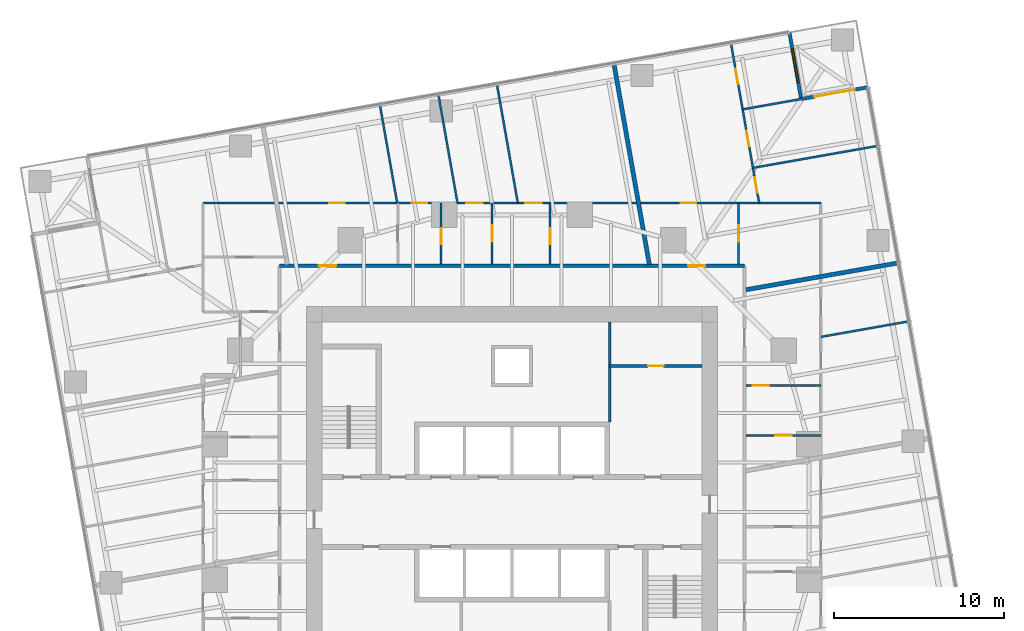
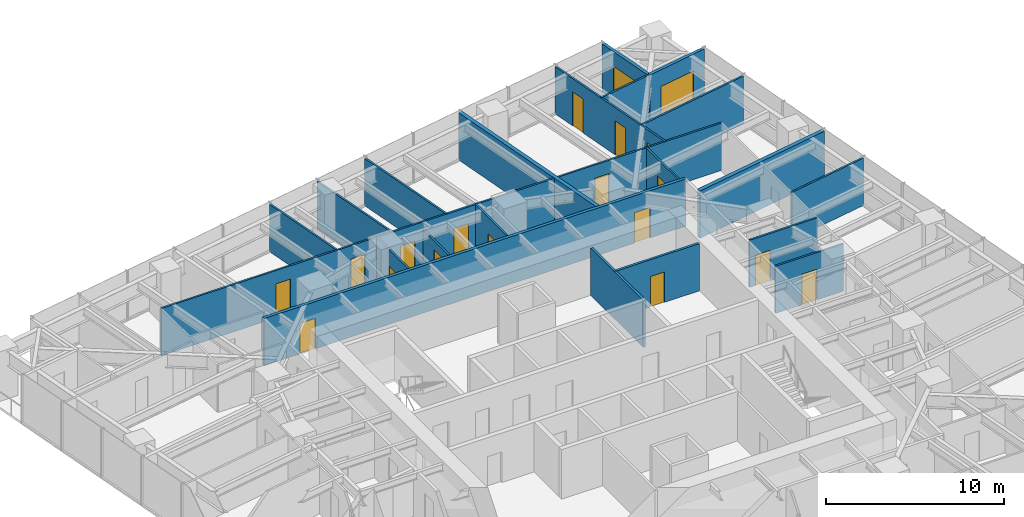
# One storey, part 12 of 14: 21 walls, 18 doors, 1 window, 19 openings.
"""IFC4 building model written with IfcOpenShell, lengths in metres."""

from ifc_helpers import new_model, si_unit, direction, frame, frame_2d, origin, place, context, subcontext, project, spatial, rectangle, extrude, material, layer, layer_set, type_object, element, fill, save


model = new_model("IFC4")

# Units and contexts
model_context = context("Model", 3, precision=1e-05, world=origin(), true_north=direction((0.0, 1.0)))
body_context = subcontext(model_context, "Body", "Model", "MODEL_VIEW")
ifc_project = project(units=[si_unit("LENGTHUNIT", "METRE"), si_unit("AREAUNIT", "SQUARE_METRE"), si_unit("VOLUMEUNIT", "CUBIC_METRE"), si_unit("PLANEANGLEUNIT", "RADIAN"), si_unit("MASSUNIT", "GRAM", prefix="KILO")], contexts=[model_context])

# Site, building, storey
site_placement = place(None, origin())
site = spatial("IfcSite", under=ifc_project, at=site_placement, CompositionType="ELEMENT")
building_placement = place(site_placement, origin())
building = spatial("IfcBuilding", under=site, at=building_placement, Name="Torsade Residences", CompositionType="ELEMENT")
storey_placement = place(building_placement, frame((0.0, 0.0, 99.800048828125)))
storey = spatial("IfcBuildingStorey", under=building, at=storey_placement, Name="L27", CompositionType="ELEMENT", Elevation=99.800048828125)

# Wall, openings, doors
ifc_material_1 = material(Name="Plasterboard on steel stud", Category="steel")
ifc_layer_1 = layer(ifc_material_1, 0.199951171875)
ifc_layer_set_1 = layer_set([ifc_layer_1], Name="Plasterboard on steel stud")
wall_type_1 = type_object("IfcWallType", Name="CORRIDOR WALL 200", PredefinedType="PARTITIONING", material=ifc_layer_set_1)
wall_1_placement = place(storey_placement, frame((53.699951171875, 44.5, 0.0), z_axis=(0.0, 0.0, 1.0), x_axis=(-1.0, 0.0, 0.0)))
wall_1 = element("IfcWall", 1, at=wall_1_placement, inside=storey, type_object=wall_type_1, Name="Corridor wall L27", PredefinedType="PARTITIONING", context=body_context, shape_type="SweptSolid", body=[
    extrude(rectangle(XDim=27.39990234375, YDim=0.199951171875, at=frame_2d((13.699951171875, 0.0))), origin(), (0.0, 0.0, 1.0), 3.25),
])
opening_1_placement = place(wall_1_placement, frame((24.0556640625, 0.0, 0.0)))
opening_1 = element("IfcOpeningElement", 2, at=opening_1_placement, cuts=wall_1, Name="Opening D01L", PredefinedType="OPENING", context=body_context, shape_type="SweptSolid", body=[
    extrude(rectangle(XDim=1.02001953125, YDim=2.10009765625, at=frame_2d((0.510009765625, 1.050048828125))), frame((0.0, 0.10986328125, 0.0), z_axis=(0.0, -1.0, 0.0), x_axis=(1.0, 0.0, 0.0)), (0.0, 0.0, 1.0), 0.219970703125),
])
opening_2_placement = place(wall_1_placement, frame((2.305419921875, 0.0, 0.0)))
opening_2 = element("IfcOpeningElement", 3, at=opening_2_placement, cuts=wall_1, Name="Opening D01L", PredefinedType="OPENING", context=body_context, shape_type="SweptSolid", body=[
    extrude(rectangle(XDim=1.02001953125, YDim=2.10009765625, at=frame_2d((0.510009765625, 1.050048828125))), frame((0.0, 0.10986328125, 0.0), z_axis=(0.0, -1.0, 0.0), x_axis=(1.0, 0.0, 0.0)), (0.0, 0.0, 1.0), 0.219970703125),
])
ifc_material_2 = material(Name="Solid-core timber fire door", Category="wood")
door_type_1 = type_object("IfcDoorType", Name="APARTMENT ENTRY DOOR 1020x2100", OperationType="NOTDEFINED", PredefinedType="DOOR", material=ifc_material_2)
door_1_placement = place(opening_1_placement, origin())
door_1 = element("IfcDoor", 4, at=door_1_placement, inside=storey, type_object=door_type_1, Name="Door Residential corridor to Kitchen and dining", OperationType="SINGLE_SWING_RIGHT", OverallHeight=2.10009765625, OverallWidth=1.02001953125, PredefinedType="DOOR", context=body_context, shape_type="SweptSolid", body=[
    extrude(rectangle(XDim=1.02001953125, YDim=2.10009765625, at=frame_2d((0.510009765625, 1.050048828125))), frame((0.0, 0.02490234375, 0.0), z_axis=(0.0, -1.0, 0.0), x_axis=(1.0, 0.0, 0.0)), (0.0, 0.0, 1.0), 0.050048828125),
])
fill(opening_1, door_1)
door_2_placement = place(opening_2_placement, origin())
door_2 = element("IfcDoor", 5, at=door_2_placement, inside=storey, type_object=door_type_1, Name="Door Residential corridor to Kitchen and dining", OperationType="SINGLE_SWING_LEFT", OverallHeight=2.10009765625, OverallWidth=1.02001953125, PredefinedType="DOOR", context=body_context, shape_type="SweptSolid", body=[
    extrude(rectangle(XDim=1.02001953125, YDim=2.10009765625, at=frame_2d((0.510009765625, 1.050048828125))), frame((0.0, 0.02490234375, 0.0), z_axis=(0.0, -1.0, 0.0), x_axis=(1.0, 0.0, 0.0)), (0.0, 0.0, 1.0), 0.050048828125),
])
fill(opening_2, door_2)

# Wall, opening, door
ifc_material_3 = material(Name="Plasterboard on steel stud", Category="steel")
ifc_layer_2 = layer(ifc_material_3, 0.1201171875)
ifc_layer_set_2 = layer_set([ifc_layer_2], Name="Plasterboard on steel stud")
wall_type_2 = type_object("IfcWallType", Name="PARTITION 120", PredefinedType="PARTITIONING", material=ifc_layer_set_2)
wall_2_placement = place(storey_placement, frame((58.199951171875, 37.452392578125, 0.0), z_axis=(0.0, 0.0, 1.0), x_axis=(-1.0, 0.0, 0.0)))
wall_2 = element("IfcWall", 6, at=wall_2_placement, inside=storey, type_object=wall_type_2, Name="Partition L27", PredefinedType="PARTITIONING", context=body_context, shape_type="SweptSolid", body=[
    extrude(rectangle(XDim=4.39990234375, YDim=0.1201171875, at=frame_2d((2.199951171875, 0.0))), origin(), (0.0, 0.0, 1.0), 3.25),
])
opening_3_placement = place(wall_2_placement, frame((3.070068359375, 0.0, 0.0)))
opening_3 = element("IfcOpeningElement", 7, at=opening_3_placement, cuts=wall_2, Name="Opening D05", PredefinedType="OPENING", context=body_context, shape_type="SweptSolid", body=[
    extrude(rectangle(XDim=0.9599609375, YDim=2.10009765625, at=frame_2d((0.47998046875, 1.050048828125))), frame((0.0, 0.070068359375, 0.0), z_axis=(0.0, -1.0, 0.0), x_axis=(1.0, 0.0, 0.0)), (0.0, 0.0, 1.0), 0.14013671875),
])
ifc_material_4 = material(Name="Hollow-core timber door in a steel cavity frame", Category="steel")
door_type_2 = type_object("IfcDoorType", Name="BATHROOM CAVITY SLIDING DOOR 960", OperationType="SLIDING_TO_LEFT", PredefinedType="DOOR", material=ifc_material_4)
door_3_placement = place(opening_3_placement, origin())
door_3 = element("IfcDoor", 8, at=door_3_placement, inside=storey, type_object=door_type_2, Name="Door Kitchen and dining to Bathroom", OperationType="SLIDING_TO_LEFT", OverallHeight=2.10009765625, OverallWidth=0.9599609375, PredefinedType="DOOR", context=body_context, shape_type="SweptSolid", body=[
    extrude(rectangle(XDim=0.9599609375, YDim=2.10009765625, at=frame_2d((0.47998046875, 1.050048828125))), frame((0.0, 0.02490234375, 0.0), z_axis=(0.0, -1.0, 0.0), x_axis=(1.0, 0.0, 0.0)), (0.0, 0.0, 1.0), 0.050048828125),
])
fill(opening_3, door_3)

wall_3_placement = place(storey_placement, frame((58.199951171875, 34.51171875, 0.0), z_axis=(0.0, 0.0, 1.0), x_axis=(-1.0, 0.0, 0.0)))
wall_3 = element("IfcWall", 9, at=wall_3_placement, inside=storey, type_object=wall_type_2, Name="Partition L27", PredefinedType="PARTITIONING", context=body_context, shape_type="SweptSolid", body=[
    extrude(rectangle(XDim=4.39990234375, YDim=0.1201171875, at=frame_2d((2.199951171875, 0.0))), origin(), (0.0, 0.0, 1.0), 3.25),
])
opening_4_placement = place(wall_3_placement, frame((1.719970703125, 0.0, 0.0)))
opening_4 = element("IfcOpeningElement", 10, at=opening_4_placement, cuts=wall_3, Name="Opening D05", PredefinedType="OPENING", context=body_context, shape_type="SweptSolid", body=[
    extrude(rectangle(XDim=0.9599609375, YDim=2.10009765625, at=frame_2d((0.47998046875, 1.050048828125))), frame((0.0, 0.070068359375, 0.0), z_axis=(0.0, -1.0, 0.0), x_axis=(1.0, 0.0, 0.0)), (0.0, 0.0, 1.0), 0.14013671875),
])
door_4_placement = place(opening_4_placement, origin())
door_4 = element("IfcDoor", 11, at=door_4_placement, inside=storey, type_object=door_type_2, Name="Door Bathroom to Ensuite", OperationType="SLIDING_TO_LEFT", OverallHeight=2.10009765625, OverallWidth=0.9599609375, PredefinedType="DOOR", context=body_context, shape_type="SweptSolid", body=[
    extrude(rectangle(XDim=0.9599609375, YDim=2.10009765625, at=frame_2d((0.47998046875, 1.050048828125))), frame((0.0, 0.02490234375, 0.0), z_axis=(0.0, -1.0, 0.0), x_axis=(1.0, 0.0, 0.0)), (0.0, 0.0, 1.0), 0.050048828125),
])
fill(opening_4, door_4)

# Wall
wall_4_placement = place(storey_placement, frame((58.199951171875, 40.317138671875, 0.0), z_axis=(0.0, 0.0, 1.0), x_axis=(0.984812130229, 0.173623351409, 0.0)))
element("IfcWall", 12, at=wall_4_placement, inside=storey, type_object=wall_type_2, Name="Partition L27", PredefinedType="PARTITIONING", context=body_context, shape_type="SweptSolid", body=[
    extrude(rectangle(XDim=5.244873046875, YDim=0.1201171875, at=frame_2d((2.62255859375, 0.0))), origin(), (0.0, 0.0, 1.0), 3.25),
])

# Wall, opening, door
wall_5_placement = place(storey_placement, frame((53.35498046875, 48.199951171875, 0.0), z_axis=(0.0, 0.0, 1.0), x_axis=(0.0, -1.0, 0.0)))
wall_5 = element("IfcWall", 13, at=wall_5_placement, inside=storey, type_object=wall_type_2, Name="Partition L27", PredefinedType="PARTITIONING", context=body_context, shape_type="SweptSolid", body=[
    extrude(rectangle(XDim=3.599853515625, YDim=0.1201171875, at=frame_2d((1.7998046875, 0.0))), origin(), (0.0, 0.0, 1.0), 3.25),
])
opening_5_placement = place(wall_5_placement, frame((1.320068359375, 0.0, 0.0)))
opening_5 = element("IfcOpeningElement", 14, at=opening_5_placement, cuts=wall_5, Name="Opening D05", PredefinedType="OPENING", context=body_context, shape_type="SweptSolid", body=[
    extrude(rectangle(XDim=0.9599609375, YDim=2.10009765625, at=frame_2d((0.47998046875, 1.050048828125))), frame((0.0, 0.070068359375, 0.0), z_axis=(0.0, -1.0, 0.0), x_axis=(1.0, 0.0, 0.0)), (0.0, 0.0, 1.0), 0.14013671875),
])
door_5_placement = place(opening_5_placement, origin())
door_5 = element("IfcDoor", 15, at=door_5_placement, inside=storey, type_object=door_type_2, Name="Door Kitchen and dining to Bathroom", OperationType="SLIDING_TO_LEFT", OverallHeight=2.10009765625, OverallWidth=0.9599609375, PredefinedType="DOOR", context=body_context, shape_type="SweptSolid", body=[
    extrude(rectangle(XDim=0.9599609375, YDim=2.10009765625, at=frame_2d((0.47998046875, 1.050048828125))), frame((0.0, 0.02490234375, 0.0), z_axis=(0.0, -1.0, 0.0), x_axis=(1.0, 0.0, 0.0)), (0.0, 0.0, 1.0), 0.050048828125),
])
fill(opening_5, door_5)

# Wall, openings, doors
wall_6_placement = place(storey_placement, frame((21.800048828125, 48.199951171875, 0.0), z_axis=(0.0, 0.0, 1.0), x_axis=(1.0, 0.0, 0.0)))
wall_6 = element("IfcWall", 16, at=wall_6_placement, inside=storey, type_object=wall_type_2, Name="Partition L27", PredefinedType="PARTITIONING", context=body_context, shape_type="SweptSolid", body=[
    extrude(rectangle(XDim=36.39990234375, YDim=0.1201171875, at=frame_2d((18.199951171875, 0.0))), origin(), (0.0, 0.0, 1.0), 3.25),
])
opening_6_placement = place(wall_6_placement, frame((7.441162109375, 0.0, 0.0)))
opening_6 = element("IfcOpeningElement", 17, at=opening_6_placement, cuts=wall_6, Name="Opening D02", PredefinedType="OPENING", context=body_context, shape_type="SweptSolid", body=[
    extrude(rectangle(XDim=0.919921875, YDim=2.340087890625, at=frame_2d((0.4599609375, 1.169921875))), frame((0.0, 0.070068359375, 0.0), z_axis=(0.0, -1.0, 0.0), x_axis=(1.0, 0.0, 0.0)), (0.0, 0.0, 1.0), 0.14013671875),
])
opening_7_placement = place(wall_6_placement, frame((28.14404296875, 0.0, 0.0)))
opening_7 = element("IfcOpeningElement", 18, at=opening_7_placement, cuts=wall_6, Name="Opening D02", PredefinedType="OPENING", context=body_context, shape_type="SweptSolid", body=[
    extrude(rectangle(XDim=0.919921875, YDim=2.340087890625, at=frame_2d((0.4599609375, 1.169921875))), frame((0.0, 0.070068359375, 0.0), z_axis=(0.0, -1.0, 0.0), x_axis=(1.0, 0.0, 0.0)), (0.0, 0.0, 1.0), 0.14013671875),
])
opening_8_placement = place(wall_6_placement, frame((12.290283203125, 0.0, 0.0)))
opening_8 = element("IfcOpeningElement", 19, at=opening_8_placement, cuts=wall_6, Name="Opening D02", PredefinedType="OPENING", context=body_context, shape_type="SweptSolid", body=[
    extrude(rectangle(XDim=0.919921875, YDim=2.340087890625, at=frame_2d((0.4599609375, 1.169921875))), frame((0.0, 0.070068359375, 0.0), z_axis=(0.0, -1.0, 0.0), x_axis=(1.0, 0.0, 0.0)), (0.0, 0.0, 1.0), 0.14013671875),
])
opening_9_placement = place(wall_6_placement, frame((15.50537109375, 0.0, 0.0)))
opening_9 = element("IfcOpeningElement", 20, at=opening_9_placement, cuts=wall_6, Name="Opening D05", PredefinedType="OPENING", context=body_context, shape_type="SweptSolid", body=[
    extrude(rectangle(XDim=0.9599609375, YDim=2.10009765625, at=frame_2d((0.47998046875, 1.050048828125))), frame((0.0, 0.070068359375, 0.0), z_axis=(0.0, -1.0, 0.0), x_axis=(1.0, 0.0, 0.0)), (0.0, 0.0, 1.0), 0.14013671875),
])
opening_10_placement = place(wall_6_placement, frame((18.990966796875, 0.0, 0.0)))
opening_10 = element("IfcOpeningElement", 21, at=opening_10_placement, cuts=wall_6, Name="Opening D05", PredefinedType="OPENING", context=body_context, shape_type="SweptSolid", body=[
    extrude(rectangle(XDim=0.9599609375, YDim=2.10009765625, at=frame_2d((0.47998046875, 1.050048828125))), frame((0.0, 0.070068359375, 0.0), z_axis=(0.0, -1.0, 0.0), x_axis=(1.0, 0.0, 0.0)), (0.0, 0.0, 1.0), 0.14013671875),
])
door_6_placement = place(opening_9_placement, origin())
door_6 = element("IfcDoor", 22, at=door_6_placement, inside=storey, type_object=door_type_2, Name="Door Laundry to Bedroom 2", OperationType="SLIDING_TO_LEFT", OverallHeight=2.10009765625, OverallWidth=0.9599609375, PredefinedType="DOOR", context=body_context, shape_type="SweptSolid", body=[
    extrude(rectangle(XDim=0.9599609375, YDim=2.10009765625, at=frame_2d((0.47998046875, 1.050048828125))), frame((0.0, 0.02490234375, 0.0), z_axis=(0.0, -1.0, 0.0), x_axis=(1.0, 0.0, 0.0)), (0.0, 0.0, 1.0), 0.050048828125),
])
fill(opening_9, door_6)
door_7_placement = place(opening_10_placement, origin())
door_7 = element("IfcDoor", 23, at=door_7_placement, inside=storey, type_object=door_type_2, Name="Door Ensuite to Living room", OperationType="SLIDING_TO_LEFT", OverallHeight=2.10009765625, OverallWidth=0.9599609375, PredefinedType="DOOR", context=body_context, shape_type="SweptSolid", body=[
    extrude(rectangle(XDim=0.9599609375, YDim=2.10009765625, at=frame_2d((0.47998046875, 1.050048828125))), frame((0.0, 0.02490234375, 0.0), z_axis=(0.0, -1.0, 0.0), x_axis=(1.0, 0.0, 0.0)), (0.0, 0.0, 1.0), 0.050048828125),
])
fill(opening_10, door_7)
ifc_material_5 = material(Name="Hollow-core timber door", Category="wood")
door_type_3 = type_object("IfcDoorType", Name="INTERNAL DOOR 920x2340", OperationType="NOTDEFINED", PredefinedType="DOOR", material=ifc_material_5)
door_8_placement = place(opening_6_placement, origin())
door_8 = element("IfcDoor", 24, at=door_8_placement, inside=storey, type_object=door_type_3, Name="Door Kitchen and dining to Bedroom 1", OperationType="SINGLE_SWING_LEFT", OverallHeight=2.340087890625, OverallWidth=0.919921875, PredefinedType="DOOR", context=body_context, shape_type="SweptSolid", body=[
    extrude(rectangle(XDim=0.919921875, YDim=2.340087890625, at=frame_2d((0.4599609375, 1.169921875))), frame((0.0, 0.02490234375, 0.0), z_axis=(0.0, -1.0, 0.0), x_axis=(1.0, 0.0, 0.0)), (0.0, 0.0, 1.0), 0.050048828125),
])
fill(opening_6, door_8)
door_9_placement = place(opening_7_placement, origin())
door_9 = element("IfcDoor", 25, at=door_9_placement, inside=storey, type_object=door_type_3, Name="Door Kitchen and dining to Living room", OperationType="SINGLE_SWING_LEFT", OverallHeight=2.340087890625, OverallWidth=0.919921875, PredefinedType="DOOR", context=body_context, shape_type="SweptSolid", body=[
    extrude(rectangle(XDim=0.919921875, YDim=2.340087890625, at=frame_2d((0.4599609375, 1.169921875))), frame((0.0, 0.02490234375, 0.0), z_axis=(0.0, -1.0, 0.0), x_axis=(1.0, 0.0, 0.0)), (0.0, 0.0, 1.0), 0.050048828125),
])
fill(opening_7, door_9)
door_10_placement = place(opening_8_placement, origin())
door_10 = element("IfcDoor", 26, at=door_10_placement, inside=storey, type_object=door_type_3, Name="Door Study to Study 2", OperationType="SINGLE_SWING_LEFT", OverallHeight=2.340087890625, OverallWidth=0.919921875, PredefinedType="DOOR", context=body_context, shape_type="SweptSolid", body=[
    extrude(rectangle(XDim=0.919921875, YDim=2.340087890625, at=frame_2d((0.4599609375, 1.169921875))), frame((0.0, 0.02490234375, 0.0), z_axis=(0.0, -1.0, 0.0), x_axis=(1.0, 0.0, 0.0)), (0.0, 0.0, 1.0), 0.050048828125),
])
fill(opening_8, door_10)

wall_7_placement = place(storey_placement, frame((52.89990234375, 57.61962890625, 0.0), z_axis=(0.0, 0.0, 1.0), x_axis=(0.173642635155, -0.984808730291, 0.0)))
wall_7 = element("IfcWall", 27, at=wall_7_placement, inside=storey, type_object=wall_type_2, Name="Partition L27", PredefinedType="PARTITIONING", context=body_context, shape_type="SweptSolid", body=[
    extrude(rectangle(XDim=9.56494140625, YDim=0.1201171875, at=frame_2d((4.782470703125, 0.0))), origin(), (0.0, 0.0, 1.0), 3.25),
])
opening_11_placement = place(wall_7_placement, frame((1.525146484375, 0.0, 0.0)))
opening_11 = element("IfcOpeningElement", 28, at=opening_11_placement, cuts=wall_7, Name="Opening D02", PredefinedType="OPENING", context=body_context, shape_type="SweptSolid", body=[
    extrude(rectangle(XDim=0.919921875, YDim=2.340087890625, at=frame_2d((0.4599609375, 1.169921875))), frame((0.0, 0.070068359375, 0.0), z_axis=(0.0, -1.0, 0.0), x_axis=(1.0, 0.0, 0.0)), (0.0, 0.0, 1.0), 0.14013671875),
])
opening_12_placement = place(wall_7_placement, frame((5.25, 0.0, 0.0)))
opening_12 = element("IfcOpeningElement", 29, at=opening_12_placement, cuts=wall_7, Name="Opening D02", PredefinedType="OPENING", context=body_context, shape_type="SweptSolid", body=[
    extrude(rectangle(XDim=0.919921875, YDim=2.340087890625, at=frame_2d((0.4599609375, 1.169921875))), frame((0.0, 0.070068359375, 0.0), z_axis=(0.0, -1.0, 0.0), x_axis=(1.0, 0.0, 0.0)), (0.0, 0.0, 1.0), 0.14013671875),
])
opening_13_placement = place(wall_7_placement, frame((8.027587890625, 0.0, 0.0)))
opening_13 = element("IfcOpeningElement", 30, at=opening_13_placement, cuts=wall_7, Name="Opening D02", PredefinedType="OPENING", context=body_context, shape_type="SweptSolid", body=[
    extrude(rectangle(XDim=0.919921875, YDim=2.340087890625, at=frame_2d((0.4599609375, 1.169921875))), frame((0.0, 0.070068359375, 0.0), z_axis=(0.0, -1.0, 0.0), x_axis=(1.0, 0.0, 0.0)), (0.0, 0.0, 1.0), 0.14013671875),
])
door_11_placement = place(opening_11_placement, origin())
door_11 = element("IfcDoor", 31, at=door_11_placement, inside=storey, type_object=door_type_3, Name="Door Living room to Study", OperationType="SINGLE_SWING_RIGHT", OverallHeight=2.340087890625, OverallWidth=0.919921875, PredefinedType="DOOR", context=body_context, shape_type="SweptSolid", body=[
    extrude(rectangle(XDim=0.919921875, YDim=2.340087890625, at=frame_2d((0.4599609375, 1.169921875))), frame((0.0, 0.02490234375, 0.0), z_axis=(0.0, -1.0, 0.0), x_axis=(1.0, 0.0, 0.0)), (0.0, 0.0, 1.0), 0.050048828125),
])
fill(opening_11, door_11)
door_12_placement = place(opening_12_placement, origin())
door_12 = element("IfcDoor", 32, at=door_12_placement, inside=storey, type_object=door_type_3, Name="Door Living room to Bedroom 2", OperationType="SINGLE_SWING_LEFT", OverallHeight=2.340087890625, OverallWidth=0.919921875, PredefinedType="DOOR", context=body_context, shape_type="SweptSolid", body=[
    extrude(rectangle(XDim=0.919921875, YDim=2.340087890625, at=frame_2d((0.4599609375, 1.169921875))), frame((0.0, 0.02490234375, 0.0), z_axis=(0.0, -1.0, 0.0), x_axis=(1.0, 0.0, 0.0)), (0.0, 0.0, 1.0), 0.050048828125),
])
fill(opening_12, door_12)
door_13_placement = place(opening_13_placement, origin())
door_13 = element("IfcDoor", 33, at=door_13_placement, inside=storey, type_object=door_type_3, Name="Door Living room to Bedroom 1", OperationType="SINGLE_SWING_LEFT", OverallHeight=2.340087890625, OverallWidth=0.919921875, PredefinedType="DOOR", context=body_context, shape_type="SweptSolid", body=[
    extrude(rectangle(XDim=0.919921875, YDim=2.340087890625, at=frame_2d((0.4599609375, 1.169921875))), frame((0.0, 0.02490234375, 0.0), z_axis=(0.0, -1.0, 0.0), x_axis=(1.0, 0.0, 0.0)), (0.0, 0.0, 1.0), 0.050048828125),
])
fill(opening_13, door_13)

# Walls
wall_8_placement = place(storey_placement, frame((54.1953125, 50.27294921875, 0.0), z_axis=(0.0, 0.0, 1.0), x_axis=(0.984807929323, 0.173647177755, 0.0)))
element("IfcWall", 34, at=wall_8_placement, inside=storey, type_object=wall_type_2, Name="Partition L27", PredefinedType="PARTITIONING", context=body_context, shape_type="SweptSolid", body=[
    extrude(rectangle(XDim=7.4599609375, YDim=0.1201171875, at=frame_2d((3.72998046875, 0.0))), origin(), (0.0, 0.0, 1.0), 3.25),
])
wall_9_placement = place(storey_placement, frame((53.587646484375, 53.7197265625, 0.0), z_axis=(0.0, 0.0, 1.0), x_axis=(0.984805572884, 0.173660541335, 0.0)))
element("IfcWall", 35, at=wall_9_placement, inside=storey, type_object=wall_type_2, Name="Partition L27", PredefinedType="PARTITIONING", context=body_context, shape_type="SweptSolid", body=[
    extrude(rectangle(XDim=3.459716796875, YDim=0.1201171875, at=frame_2d((1.72998046875, 0.0))), origin(), (0.0, 0.0, 1.0), 3.25),
])

# Wall, opening, door
wall_10_placement = place(storey_placement, frame((42.247802734375, 44.60009765625, 0.0), z_axis=(0.0, 0.0, 1.0), x_axis=(0.0, 1.0, 0.0)))
wall_10 = element("IfcWall", 36, at=wall_10_placement, inside=storey, type_object=wall_type_2, Name="Partition L27", PredefinedType="PARTITIONING", context=body_context, shape_type="SweptSolid", body=[
    extrude(rectangle(XDim=3.599853515625, YDim=0.1201171875, at=frame_2d((1.7998046875, 0.0))), origin(), (0.0, 0.0, 1.0), 3.25),
])
opening_14_placement = place(wall_10_placement, frame((1.169921875, 0.0, 0.0)))
opening_14 = element("IfcOpeningElement", 37, at=opening_14_placement, cuts=wall_10, Name="Opening D05", PredefinedType="OPENING", context=body_context, shape_type="SweptSolid", body=[
    extrude(rectangle(XDim=0.9599609375, YDim=2.10009765625, at=frame_2d((0.47998046875, 1.050048828125))), frame((0.0, 0.070068359375, 0.0), z_axis=(0.0, -1.0, 0.0), x_axis=(1.0, 0.0, 0.0)), (0.0, 0.0, 1.0), 0.14013671875),
])
door_14_placement = place(opening_14_placement, origin())
door_14 = element("IfcDoor", 38, at=door_14_placement, inside=storey, type_object=door_type_2, Name="Door Ensuite to Bathroom", OperationType="SLIDING_TO_LEFT", OverallHeight=2.10009765625, OverallWidth=0.9599609375, PredefinedType="DOOR", context=body_context, shape_type="SweptSolid", body=[
    extrude(rectangle(XDim=0.9599609375, YDim=2.10009765625, at=frame_2d((0.47998046875, 1.050048828125))), frame((0.0, 0.02490234375, 0.0), z_axis=(0.0, -1.0, 0.0), x_axis=(1.0, 0.0, 0.0)), (0.0, 0.0, 1.0), 0.050048828125),
])
fill(opening_14, door_14)

wall_11_placement = place(storey_placement, frame((38.83056640625, 44.60009765625, 0.0), z_axis=(0.0, 0.0, 1.0), x_axis=(0.0, 1.0, 0.0)))
wall_11 = element("IfcWall", 39, at=wall_11_placement, inside=storey, type_object=wall_type_2, Name="Partition L27", PredefinedType="PARTITIONING", context=body_context, shape_type="SweptSolid", body=[
    extrude(rectangle(XDim=3.599853515625, YDim=0.1201171875, at=frame_2d((1.7998046875, 0.0))), origin(), (0.0, 0.0, 1.0), 2.721923828125),
])
opening_15_placement = place(wall_11_placement, frame((1.320068359375, 0.0, 0.0)))
opening_15 = element("IfcOpeningElement", 40, at=opening_15_placement, cuts=wall_11, Name="Opening D05", PredefinedType="OPENING", context=body_context, shape_type="SweptSolid", body=[
    extrude(rectangle(XDim=0.9599609375, YDim=2.10009765625, at=frame_2d((0.47998046875, 1.050048828125))), frame((0.0, 0.070068359375, 0.0), z_axis=(0.0, -1.0, 0.0), x_axis=(1.0, 0.0, 0.0)), (0.0, 0.0, 1.0), 0.14013671875),
])
door_15_placement = place(opening_15_placement, origin())
door_15 = element("IfcDoor", 41, at=door_15_placement, inside=storey, type_object=door_type_2, Name="Door Laundry to Ensuite", OperationType="SLIDING_TO_LEFT", OverallHeight=2.10009765625, OverallWidth=0.9599609375, PredefinedType="DOOR", context=body_context, shape_type="SweptSolid", body=[
    extrude(rectangle(XDim=0.9599609375, YDim=2.10009765625, at=frame_2d((0.47998046875, 1.050048828125))), frame((0.0, 0.02490234375, 0.0), z_axis=(0.0, -1.0, 0.0), x_axis=(1.0, 0.0, 0.0)), (0.0, 0.0, 1.0), 0.050048828125),
])
fill(opening_15, door_15)

wall_12_placement = place(storey_placement, frame((35.8271484375, 44.60009765625, 0.0), z_axis=(0.0, 0.0, 1.0), x_axis=(0.0, 1.0, 0.0)))
wall_12 = element("IfcWall", 42, at=wall_12_placement, inside=storey, type_object=wall_type_2, Name="Partition L27", PredefinedType="PARTITIONING", context=body_context, shape_type="SweptSolid", body=[
    extrude(rectangle(XDim=3.599853515625, YDim=0.1201171875, at=frame_2d((1.7998046875, 0.0))), origin(), (0.0, 0.0, 1.0), 3.25),
])
opening_16_placement = place(wall_12_placement, frame((1.169921875, 0.0, 0.0)))
opening_16 = element("IfcOpeningElement", 43, at=opening_16_placement, cuts=wall_12, Name="Opening D05", PredefinedType="OPENING", context=body_context, shape_type="SweptSolid", body=[
    extrude(rectangle(XDim=0.9599609375, YDim=2.10009765625, at=frame_2d((0.47998046875, 1.050048828125))), frame((0.0, 0.070068359375, 0.0), z_axis=(0.0, -1.0, 0.0), x_axis=(1.0, 0.0, 0.0)), (0.0, 0.0, 1.0), 0.14013671875),
])
door_16_placement = place(opening_16_placement, origin())
door_16 = element("IfcDoor", 44, at=door_16_placement, inside=storey, type_object=door_type_2, Name="Door Study to Laundry", OperationType="SLIDING_TO_LEFT", OverallHeight=2.10009765625, OverallWidth=0.9599609375, PredefinedType="DOOR", context=body_context, shape_type="SweptSolid", body=[
    extrude(rectangle(XDim=0.9599609375, YDim=2.10009765625, at=frame_2d((0.47998046875, 1.050048828125))), frame((0.0, 0.02490234375, 0.0), z_axis=(0.0, -1.0, 0.0), x_axis=(1.0, 0.0, 0.0)), (0.0, 0.0, 1.0), 0.050048828125),
])
fill(opening_16, door_16)

# Walls
wall_13_placement = place(storey_placement, frame((40.3447265625, 48.199951171875, 0.0), z_axis=(0.0, 0.0, 1.0), x_axis=(-0.17363617165, 0.984809869921, 0.0)))
element("IfcWall", 45, at=wall_13_placement, inside=storey, type_object=wall_type_2, Name="Partition L27", PredefinedType="PARTITIONING", context=body_context, shape_type="SweptSolid", body=[
    extrude(rectangle(XDim=7.096435546875, YDim=0.1201171875, at=frame_2d((3.54833984375, 0.0))), origin(), (0.0, 0.0, 1.0), 3.25),
])
wall_14_placement = place(storey_placement, frame((32.218994140625, 53.97314453125, 0.0), z_axis=(0.0, 0.0, 1.0), x_axis=(0.173623777139, -0.984812055172, 0.0)))
element("IfcWall", 46, at=wall_14_placement, inside=storey, type_object=wall_type_2, Name="Partition L27", PredefinedType="PARTITIONING", context=body_context, shape_type="SweptSolid", body=[
    extrude(rectangle(XDim=5.8623046875, YDim=0.1201171875, at=frame_2d((2.93115234375, 0.0))), origin(), (0.0, 0.0, 1.0), 3.25),
])
wall_15_placement = place(storey_placement, frame((36.790771484375, 48.199951171875, 0.0), z_axis=(0.0, 0.0, 1.0), x_axis=(-0.173630564586, 0.984810858511, 0.0)))
element("IfcWall", 47, at=wall_15_placement, inside=storey, type_object=wall_type_2, Name="Partition L27", PredefinedType="PARTITIONING", context=body_context, shape_type="SweptSolid", body=[
    extrude(rectangle(XDim=6.479248046875, YDim=0.1201171875, at=frame_2d((3.23974609375, 0.0))), origin(), (0.0, 0.0, 1.0), 3.25),
])
ifc_material_6 = material(Name="Masonry-lined stud party wall", Category="masonry")
ifc_layer_3 = layer(ifc_material_6, 0.25)
ifc_layer_set_3 = layer_set([ifc_layer_3], Name="Masonry-lined stud party wall")
wall_type_3 = type_object("IfcWallType", Name="PARTY WALL 250", PredefinedType="PARTITIONING", material=ifc_layer_set_3)
wall_16_placement = place(storey_placement, frame((62.796875, 44.681640625, 0.0), z_axis=(0.0, 0.0, 1.0), x_axis=(-0.984810933893, -0.173630137029, 0.0)))
element("IfcWall", 48, at=wall_16_placement, inside=storey, type_object=wall_type_3, Name="Party wall L27", PredefinedType="PARTITIONING", context=body_context, shape_type="SweptSolid", body=[
    extrude(rectangle(XDim=9.153564453125, YDim=0.25, at=frame_2d((4.57666015625, 0.0))), origin(), (0.0, 0.0, 1.0), 3.25),
])
wall_17_placement = place(storey_placement, frame((45.999267578125, 56.443603515625, 0.0), z_axis=(0.0, 0.0, 1.0), x_axis=(0.173654664517, -0.984806609184, 0.0)))
element("IfcWall", 49, at=wall_17_placement, inside=storey, type_object=wall_type_3, Name="Party wall L27", PredefinedType="PARTITIONING", context=body_context, shape_type="SweptSolid", body=[
    extrude(rectangle(XDim=12.04443359375, YDim=0.25, at=frame_2d((6.022216796875, 0.0))), origin(), (0.0, 0.0, 1.0), 3.25),
])
ifc_material_7 = material(Name="Reinforced blockwork", Category="masonry")
ifc_layer_4 = layer(ifc_material_7, 0.14990234375)
ifc_layer_set_4 = layer_set([ifc_layer_4], Name="Reinforced blockwork")
wall_type_4 = type_object("IfcWallType", Name="SERVICE ROOM WALL 150", PredefinedType="SOLIDWALL", material=ifc_layer_set_4)
wall_18_placement = place(storey_placement, frame((45.75, 41.199951171875, 0.0), z_axis=(0.0, 0.0, 1.0), x_axis=(0.0, -1.0, 0.0)))
element("IfcWall", 50, at=wall_18_placement, inside=storey, type_object=wall_type_4, Name="Service room wall L27", PredefinedType="SOLIDWALL", context=body_context, shape_type="SweptSolid", body=[
    extrude(rectangle(XDim=5.89990234375, YDim=0.14990234375, at=frame_2d((2.949951171875, 0.0))), origin(), (0.0, 0.0, 1.0), 3.25),
])

# Wall, opening, door
wall_19_placement = place(storey_placement, frame((45.75, 38.60009765625, 0.0), z_axis=(0.0, 0.0, 1.0), x_axis=(1.0, 0.0, 0.0)))
wall_19 = element("IfcWall", 51, at=wall_19_placement, inside=storey, type_object=wall_type_4, Name="Service room wall L27", PredefinedType="SOLIDWALL", context=body_context, shape_type="SweptSolid", body=[
    extrude(rectangle(XDim=5.449951171875, YDim=0.14990234375, at=frame_2d((2.72509765625, 0.0))), origin(), (0.0, 0.0, 1.0), 3.25),
])
opening_17_placement = place(wall_19_placement, frame((2.264892578125, 0.0, 0.0)))
opening_17 = element("IfcOpeningElement", 52, at=opening_17_placement, cuts=wall_19, Name="Opening D06", PredefinedType="OPENING", context=body_context, shape_type="SweptSolid", body=[
    extrude(rectangle(XDim=0.919921875, YDim=2.10009765625, at=frame_2d((0.4599609375, 1.050048828125))), frame((0.0, 0.0849609375, 0.0), z_axis=(0.0, -1.0, 0.0), x_axis=(1.0, 0.0, 0.0)), (0.0, 0.0, 1.0), 0.169921875),
])
ifc_material_8 = material(Name="Steel-framed fire door", Category="steel")
door_type_4 = type_object("IfcDoorType", Name="FIRE DOOR 920", OperationType="NOTDEFINED", PredefinedType="DOOR", material=ifc_material_8)
door_17_placement = place(opening_17_placement, origin())
door_17 = element("IfcDoor", 53, at=door_17_placement, inside=storey, type_object=door_type_4, Name="Door Refuse room to Linen store", OperationType="SINGLE_SWING_LEFT", OverallHeight=2.10009765625, OverallWidth=0.919921875, PredefinedType="DOOR", context=body_context, shape_type="SweptSolid", body=[
    extrude(rectangle(XDim=0.919921875, YDim=2.10009765625, at=frame_2d((0.4599609375, 1.050048828125))), frame((0.0, 0.02490234375, 0.0), z_axis=(0.0, -1.0, 0.0), x_axis=(1.0, 0.0, 0.0)), (0.0, 0.0, 1.0), 0.050048828125),
])
fill(opening_17, door_17)

ifc_material_9 = material(Name="Stone-faced precast concrete 40 MPa panel", Category="masonry")
ifc_layer_5 = layer(ifc_material_9, 0.199951171875)
ifc_layer_set_5 = layer_set([ifc_layer_5], Name="Stone-faced precast concrete 40 MPa panel")
wall_type_5 = type_object("IfcWallType", Name="TERRACE WALL 200", PredefinedType="SOLIDWALL", material=ifc_layer_set_5)
wall_20_placement = place(storey_placement, frame((60.9736328125, 55.022216796875, 0.0), z_axis=(0.0, 0.0, 1.0), x_axis=(-0.984808127031, -0.173646056486, 0.0)))
wall_20 = element("IfcWall", 54, at=wall_20_placement, inside=storey, type_object=wall_type_5, Name="Terrace wall L27 5", PredefinedType="SOLIDWALL", context=body_context, shape_type="SweptSolid", body=[
    extrude(rectangle(XDim=4.0, YDim=0.199951171875, at=frame_2d((2.0, 0.0))), origin(), (0.0, 0.0, 1.0), 3.25),
])
opening_18_placement = place(wall_20_placement, frame((0.800048828125, 0.0, 0.0)))
opening_18 = element("IfcOpeningElement", 55, at=opening_18_placement, cuts=wall_20, Name="Opening D10A", PredefinedType="OPENING", context=body_context, shape_type="SweptSolid", body=[
    extrude(rectangle(XDim=2.39990234375, YDim=2.10009765625, at=frame_2d((1.199951171875, 1.050048828125))), frame((0.0, 0.10986328125, 0.0), z_axis=(0.0, -1.0, 0.0), x_axis=(1.0, 0.0, 0.0)), (0.0, 0.0, 1.0), 0.219970703125),
])
ifc_material_10 = material(Name="Aluminium-framed glass door", Category="aluminium")
door_type_5 = type_object("IfcDoorType", Name="TERRACE SLIDING DOOR 2400x2100", OperationType="SLIDING_TO_LEFT", PredefinedType="DOOR", material=ifc_material_10)
door_18_placement = place(opening_18_placement, origin())
door_18 = element("IfcDoor", 56, at=door_18_placement, inside=storey, type_object=door_type_5, Name="Terrace door L27 5", OperationType="SLIDING_TO_LEFT", OverallHeight=2.10009765625, OverallWidth=2.39990234375, PredefinedType="DOOR", context=body_context, shape_type="SweptSolid", body=[
    extrude(rectangle(XDim=2.39990234375, YDim=2.10009765625, at=frame_2d((1.199951171875, 1.050048828125))), frame((0.0, 0.02490234375, 0.0), z_axis=(0.0, -1.0, 0.0), x_axis=(1.0, 0.0, 0.0)), (0.0, 0.0, 1.0), 0.050048828125),
])
fill(opening_18, door_18)

# Wall, opening, window
wall_21_placement = place(storey_placement, frame((57.034423828125, 54.32763671875, 0.0), z_axis=(0.0, 0.0, 1.0), x_axis=(-0.173646056486, 0.984808127031, 0.0)))
wall_21 = element("IfcWall", 57, at=wall_21_placement, inside=storey, type_object=wall_type_5, Name="Terrace wall L27 6", PredefinedType="SOLIDWALL", context=body_context, shape_type="SweptSolid", body=[
    extrude(rectangle(XDim=4.0, YDim=0.199951171875, at=frame_2d((2.0, 0.0))), origin(), (0.0, 0.0, 1.0), 3.25),
])
opening_19_placement = place(wall_21_placement, frame((1.0, 0.0, 0.449951171875)))
opening_19 = element("IfcOpeningElement", 58, at=opening_19_placement, cuts=wall_21, Name="Opening W1B", PredefinedType="OPENING", context=body_context, shape_type="SweptSolid", body=[
    extrude(rectangle(XDim=2.0, YDim=1.800048828125, at=frame_2d((1.0, 0.89990234375))), frame((0.0, 0.10986328125, 0.0), z_axis=(0.0, -1.0, 0.0), x_axis=(1.0, 0.0, 0.0)), (0.0, 0.0, 1.0), 0.219970703125),
])
ifc_material_11 = material(Name="Aluminium-framed glass window", Category="aluminium")
window_type = type_object("IfcWindowType", Name="TERRACE WINDOW 2000x1800", PartitioningType="SINGLE_PANEL", PredefinedType="WINDOW", material=ifc_material_11)
window_placement = place(opening_19_placement, origin())
window = element("IfcWindow", 59, at=window_placement, inside=storey, type_object=window_type, Name="Terrace window L27 6", OverallHeight=1.800048828125, OverallWidth=2.0, PartitioningType="SINGLE_PANEL", PredefinedType="WINDOW", context=body_context, shape_type="SweptSolid", body=[
    extrude(rectangle(XDim=2.0, YDim=1.800048828125, at=frame_2d((1.0, 0.89990234375))), frame((0.0, 0.030029296875, 0.0), z_axis=(0.0, -1.0, 0.0), x_axis=(1.0, 0.0, 0.0)), (0.0, 0.0, 1.0), 0.06005859375),
])
fill(opening_19, window)

save(model, "model.ifc")
